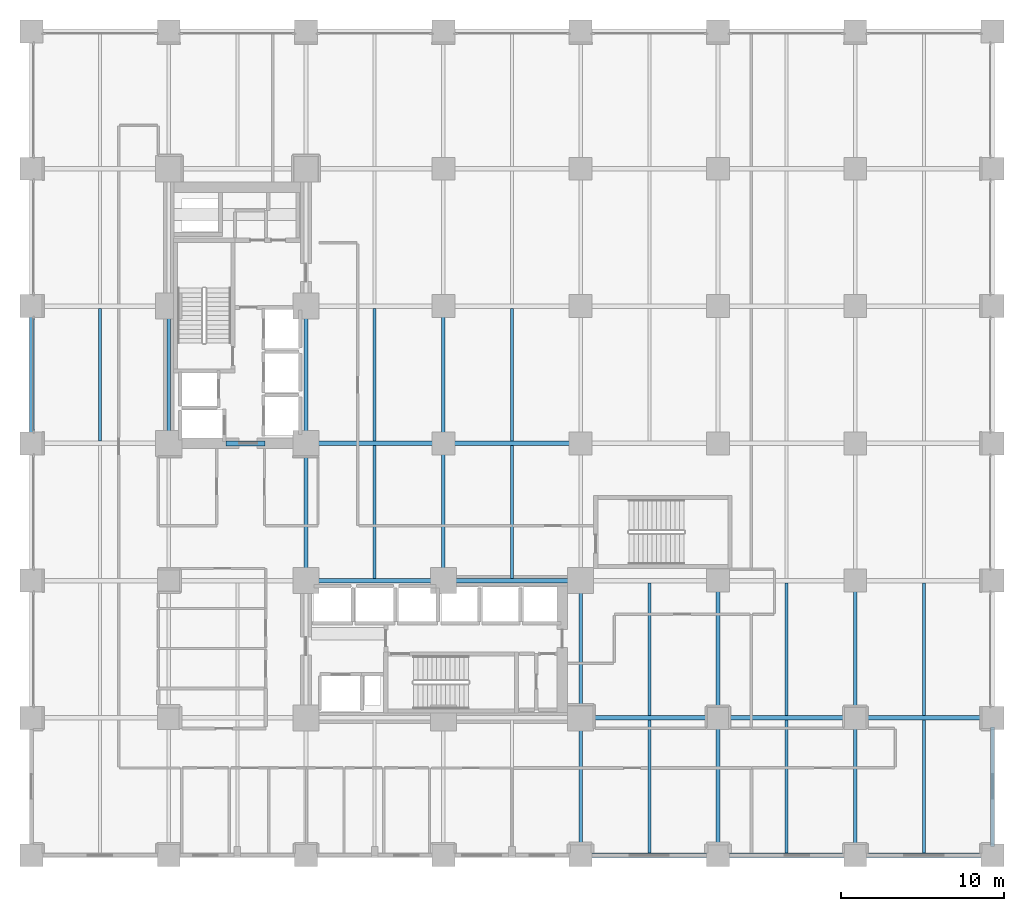
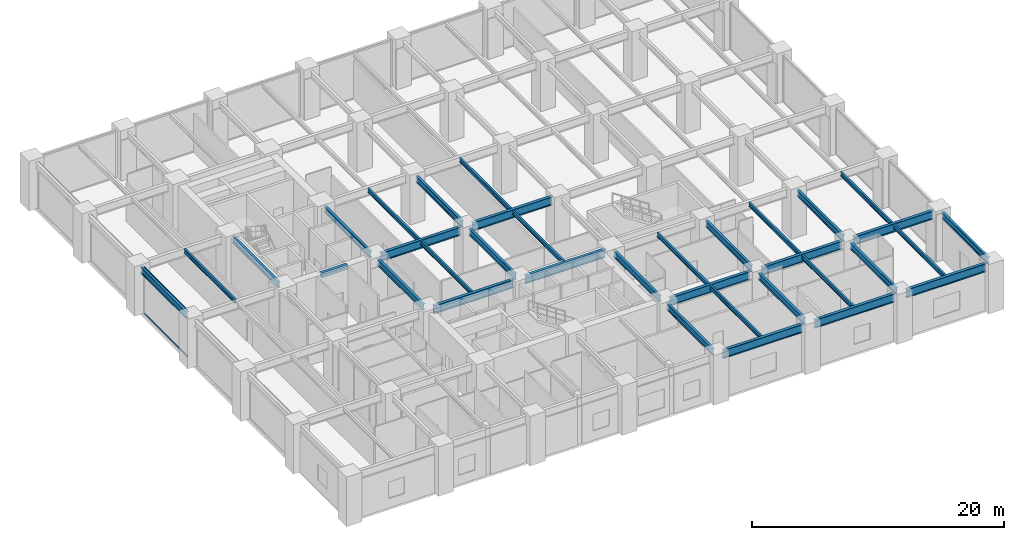
# One storey, part 5 of 24: 35 beams, 2 members, 1 element without a shape of its own.
"""IFC4 building model written with IfcOpenShell, lengths in metres."""

from ifc_helpers import new_model, si_unit, direction, frame, origin, origin_2d, place, context, subcontext, project, spatial, rectangle, hollow_rectangle, i_section, extrude, material, layer, layer_set, material_profile, profile_set, type_object, element, aggregate, save


model = new_model("IFC4")

# Units and contexts
model_context = context("Model", 3, precision=1e-05, world=origin(), true_north=direction((0.0, 1.0)))
body_context = subcontext(model_context, "Body", "Model", "MODEL_VIEW")
ifc_project = project(units=[si_unit("LENGTHUNIT", "METRE"), si_unit("AREAUNIT", "SQUARE_METRE"), si_unit("VOLUMEUNIT", "CUBIC_METRE"), si_unit("PLANEANGLEUNIT", "RADIAN"), si_unit("MASSUNIT", "GRAM", prefix="KILO")], contexts=[model_context])

# Site, building, storey
site_placement = place(None, origin())
site = spatial("IfcSite", under=ifc_project, at=site_placement, CompositionType="ELEMENT")
building_placement = place(site_placement, origin())
building = spatial("IfcBuilding", under=site, at=building_placement, Name="Nerrivon Quay Data Exchange", CompositionType="ELEMENT")
storey_placement = place(building_placement, frame((0.0, 0.0, 10.199951171875)))
storey = spatial("IfcBuildingStorey", under=building, at=storey_placement, Name="L02", CompositionType="ELEMENT", Elevation=10.199951171875)

# Beams
ifc_material_1 = material(Name="Steel Grade 350", Category="steel")
ifc_material_profile_1 = material_profile(ifc_material_1, i_section(OverallWidth=0.22900390625, OverallDepth=0.612060546875, WebThickness=0.011962890625, FlangeThickness=0.01953125, FilletRadius=0.013916015625, at=origin_2d()), Name="610UB125")
ifc_profile_set_1 = profile_set([ifc_material_profile_1], Name="Steel Grade 350")
beam_type_1 = type_object("IfcBeamType", Name="BM-G1-610UB125", PredefinedType="BEAM", material=ifc_profile_set_1)
for number, where, z_axis, x_axis, name in (
    (1, (0.0, 25.739990234375, 4.218994140625), (0.0, 1.0, 0.0), (-1.0, 0.0, 0.0), "L02 NS Girder X=0.0 (25.2..33.6)"),
    (2, (8.39990234375, 25.739990234375, 4.218994140625), (0.0, 1.0, 0.0), (-1.0, 0.0, 0.0), "L02 NS Girder X=8.4 (25.2..33.6)"),
):
    element("IfcBeam", number, at=place(storey_placement, frame(where, z_axis=z_axis, x_axis=x_axis)), inside=storey, type_object=beam_type_1, Name=name, PredefinedType="BEAM", context=body_context, shape_type="SweptSolid", body=[
        extrude(i_section(OverallWidth=0.22900390625, OverallDepth=0.612060546875, WebThickness=0.011962890625, FlangeThickness=0.01953125, FilletRadius=0.013916015625, at=origin_2d()), origin(), (0.0, 0.0, 1.0), 7.320068359375),
    ])
beam_1_placement = place(storey_placement, frame((16.800048828125, 17.340087890625, 4.218994140625), z_axis=(0.0, 1.0, 0.0), x_axis=(-1.0, 0.0, 0.0)))
element("IfcBeam", 3, at=beam_1_placement, inside=storey, type_object=beam_type_1, Name="L02 NS Girder X=16.8 (16.8..25.2)", PredefinedType="BEAM", context=body_context, shape_type="SweptSolid", body=[
    extrude(i_section(OverallWidth=0.22900390625, OverallDepth=0.612060546875, WebThickness=0.011962890625, FlangeThickness=0.01953125, FilletRadius=0.013916015625, at=origin_2d()), origin(), (0.0, 0.0, 1.0), 7.31982421875),
])
beam_2_placement = place(storey_placement, frame((16.800048828125, 25.739990234375, 4.218994140625), z_axis=(0.0, 1.0, 0.0), x_axis=(-1.0, 0.0, 0.0)))
element("IfcBeam", 4, at=beam_2_placement, inside=storey, type_object=beam_type_1, Name="L02 NS Girder X=16.8 (25.2..33.6)", PredefinedType="BEAM", context=body_context, shape_type="SweptSolid", body=[
    extrude(i_section(OverallWidth=0.22900390625, OverallDepth=0.612060546875, WebThickness=0.011962890625, FlangeThickness=0.01953125, FilletRadius=0.013916015625, at=origin_2d()), origin(), (0.0, 0.0, 1.0), 7.320068359375),
])
beam_3_placement = place(storey_placement, frame((25.199951171875, 17.340087890625, 4.218994140625), z_axis=(0.0, 1.0, 0.0), x_axis=(-1.0, 0.0, 0.0)))
element("IfcBeam", 5, at=beam_3_placement, inside=storey, type_object=beam_type_1, Name="L02 NS Girder X=25.2 (16.8..25.2)", PredefinedType="BEAM", context=body_context, shape_type="SweptSolid", body=[
    extrude(i_section(OverallWidth=0.22900390625, OverallDepth=0.612060546875, WebThickness=0.011962890625, FlangeThickness=0.01953125, FilletRadius=0.013916015625, at=origin_2d()), origin(), (0.0, 0.0, 1.0), 7.31982421875),
])
for number, where, z_axis, x_axis, name in (
    (6, (25.199951171875, 25.739990234375, 4.218994140625), (0.0, 1.0, 0.0), (-1.0, 0.0, 0.0), "L02 NS Girder X=25.2 (25.2..33.6)"),
    (7, (33.60009765625, 0.5400390625, 4.218994140625), (0.0, 1.0, 0.0), (-1.0, 0.0, 0.0), "L02 NS Girder X=33.6 (0.0..8.4)"),
    (8, (33.60009765625, 8.93994140625, 4.218994140625), (0.0, 1.0, 0.0), (-1.0, 0.0, 0.0), "L02 NS Girder X=33.6 (8.4..16.8)"),
    (9, (42.0, 0.5400390625, 4.218994140625), (0.0, 1.0, 0.0), (-1.0, 0.0, 0.0), "L02 NS Girder X=42.0 (0.0..8.4)"),
    (10, (42.0, 8.93994140625, 4.218994140625), (0.0, 1.0, 0.0), (-1.0, 0.0, 0.0), "L02 NS Girder X=42.0 (8.4..16.8)"),
    (11, (50.39990234375, 0.5400390625, 4.218994140625), (0.0, 1.0, 0.0), (-1.0, 0.0, 0.0), "L02 NS Girder X=50.4 (0.0..8.4)"),
    (12, (50.39990234375, 8.93994140625, 4.218994140625), (0.0, 1.0, 0.0), (-1.0, 0.0, 0.0), "L02 NS Girder X=50.4 (8.4..16.8)"),
    (13, (58.800048828125, 0.5400390625, 4.218994140625), (0.0, 1.0, 0.0), (-1.0, 0.0, 0.0), "L02 NS Girder X=58.8 (0.0..8.4)"),
):
    element("IfcBeam", number, at=place(storey_placement, frame(where, z_axis=z_axis, x_axis=x_axis)), inside=storey, type_object=beam_type_1, Name=name, PredefinedType="BEAM", context=body_context, shape_type="SweptSolid", body=[
        extrude(i_section(OverallWidth=0.22900390625, OverallDepth=0.612060546875, WebThickness=0.011962890625, FlangeThickness=0.01953125, FilletRadius=0.013916015625, at=origin_2d()), origin(), (0.0, 0.0, 1.0), 7.320068359375),
    ])
ifc_material_profile_2 = material_profile(ifc_material_1, i_section(OverallWidth=0.27490234375, OverallDepth=0.800048828125, WebThickness=0.010009765625, FlangeThickness=0.02001953125, at=origin_2d()), Name="800WB146")
ifc_profile_set_2 = profile_set([ifc_material_profile_2], Name="Steel Grade 350")
beam_type_2 = type_object("IfcBeamType", Name="BM-G8-800WB146", PredefinedType="BEAM", material=ifc_profile_set_2)
for number, where, z_axis, x_axis, name in (
    (14, (34.139892578125, 0.0, 4.125), (1.0, 0.0, 0.0), (0.0, 1.0, 0.0), "L02 EW Girder Y=0.0 (33.6..42.0)"),
    (15, (42.5400390625, 0.0, 4.125), (1.0, 0.0, 0.0), (0.0, 1.0, 0.0), "L02 EW Girder Y=0.0 (42.0..50.4)"),
    (16, (50.93994140625, 0.0, 4.125), (1.0, 0.0, 0.0), (0.0, 1.0, 0.0), "L02 EW Girder Y=0.0 (50.4..58.8)"),
    (17, (34.139892578125, 8.39990234375, 4.125), (1.0, 0.0, 0.0), (0.0, 1.0, 0.0), "L02 EW Girder Y=8.4 (33.6..42.0)"),
    (18, (42.5400390625, 8.39990234375, 4.125), (1.0, 0.0, 0.0), (0.0, 1.0, 0.0), "L02 EW Girder Y=8.4 (42.0..50.4)"),
    (19, (50.93994140625, 8.39990234375, 4.125), (1.0, 0.0, 0.0), (0.0, 1.0, 0.0), "L02 EW Girder Y=8.4 (50.4..58.8)"),
):
    element("IfcBeam", number, at=place(storey_placement, frame(where, z_axis=z_axis, x_axis=x_axis)), inside=storey, type_object=beam_type_2, Name=name, PredefinedType="BEAM", context=body_context, shape_type="SweptSolid", body=[
        extrude(i_section(OverallWidth=0.27490234375, OverallDepth=0.800048828125, WebThickness=0.010009765625, FlangeThickness=0.02001953125, at=origin_2d()), origin(), (0.0, 0.0, 1.0), 7.320068359375),
    ])
beam_4_placement = place(storey_placement, frame((17.340087890625, 16.800048828125, 4.125), z_axis=(1.0, 0.0, 0.0), x_axis=(0.0, 1.0, 0.0)))
element("IfcBeam", 20, at=beam_4_placement, inside=storey, type_object=beam_type_2, Name="L02 EW Girder Y=16.8 (16.8..25.2)", PredefinedType="BEAM", context=body_context, shape_type="SweptSolid", body=[
    extrude(i_section(OverallWidth=0.27490234375, OverallDepth=0.800048828125, WebThickness=0.010009765625, FlangeThickness=0.02001953125, at=origin_2d()), origin(), (0.0, 0.0, 1.0), 7.31982421875),
])
beam_5_placement = place(storey_placement, frame((25.739990234375, 16.800048828125, 4.125), z_axis=(1.0, 0.0, 0.0), x_axis=(0.0, 1.0, 0.0)))
element("IfcBeam", 21, at=beam_5_placement, inside=storey, type_object=beam_type_2, Name="L02 EW Girder Y=16.8 (25.2..33.6)", PredefinedType="BEAM", context=body_context, shape_type="SweptSolid", body=[
    extrude(i_section(OverallWidth=0.27490234375, OverallDepth=0.800048828125, WebThickness=0.010009765625, FlangeThickness=0.02001953125, at=origin_2d()), origin(), (0.0, 0.0, 1.0), 7.320068359375),
])
beam_6_placement = place(storey_placement, frame((17.340087890625, 25.199951171875, 4.125), z_axis=(1.0, 0.0, 0.0), x_axis=(0.0, 1.0, 0.0)))
element("IfcBeam", 22, at=beam_6_placement, inside=storey, type_object=beam_type_2, Name="L02 EW Girder Y=25.2 (16.8..25.2)", PredefinedType="BEAM", context=body_context, shape_type="SweptSolid", body=[
    extrude(i_section(OverallWidth=0.27490234375, OverallDepth=0.800048828125, WebThickness=0.010009765625, FlangeThickness=0.02001953125, at=origin_2d()), origin(), (0.0, 0.0, 1.0), 7.31982421875),
])
beam_7_placement = place(storey_placement, frame((25.739990234375, 25.199951171875, 4.125), z_axis=(1.0, 0.0, 0.0), x_axis=(0.0, 1.0, 0.0)))
element("IfcBeam", 23, at=beam_7_placement, inside=storey, type_object=beam_type_2, Name="L02 EW Girder Y=25.2 (25.2..33.6)", PredefinedType="BEAM", context=body_context, shape_type="SweptSolid", body=[
    extrude(i_section(OverallWidth=0.27490234375, OverallDepth=0.800048828125, WebThickness=0.010009765625, FlangeThickness=0.02001953125, at=origin_2d()), origin(), (0.0, 0.0, 1.0), 7.320068359375),
])
ifc_material_profile_3 = material_profile(ifc_material_1, i_section(OverallWidth=0.177978515625, OverallDepth=0.403076171875, WebThickness=0.007568359375, FlangeThickness=0.010986328125, FilletRadius=0.011474609375, at=origin_2d()), Name="410UB53.7")
ifc_profile_set_3 = profile_set([ifc_material_profile_3], Name="Steel Grade 350")
beam_type_3 = type_object("IfcBeamType", Name="BM-J2-410UB54", PredefinedType="JOIST", material=ifc_profile_set_3)
for number, where, z_axis, x_axis, name in (
    (24, (4.199951171875, 25.33740234375, 4.323486328125), (0.0, 1.0, 0.0), (-1.0, 0.0, 0.0), "L02 Secondary Joist X=4.2 (25.2..33.6)"),
    (25, (21.0, 16.9375, 4.323486328125), (0.0, 1.0, 0.0), (-1.0, 0.0, 0.0), "L02 Secondary Joist X=21.0 (16.8..25.2)"),
    (26, (21.0, 25.33740234375, 4.323486328125), (0.0, 1.0, 0.0), (-1.0, 0.0, 0.0), "L02 Secondary Joist X=21.0 (25.2..33.6)"),
    (27, (29.39990234375, 16.9375, 4.323486328125), (0.0, 1.0, 0.0), (-1.0, 0.0, 0.0), "L02 Secondary Joist X=29.4 (16.8..25.2)"),
    (28, (29.39990234375, 25.33740234375, 4.323486328125), (0.0, 1.0, 0.0), (-1.0, 0.0, 0.0), "L02 Secondary Joist X=29.4 (25.2..33.6)"),
    (29, (37.800048828125, 0.137451171875, 4.323486328125), (0.0, 1.0, 0.0), (-1.0, 0.0, 0.0), "L02 Secondary Joist X=37.8 (0.0..8.4)"),
    (30, (37.800048828125, 8.53759765625, 4.323486328125), (0.0, 1.0, 0.0), (-1.0, 0.0, 0.0), "L02 Secondary Joist X=37.8 (8.4..16.8)"),
    (31, (46.199951171875, 0.137451171875, 4.323486328125), (0.0, 1.0, 0.0), (-1.0, 0.0, 0.0), "L02 Secondary Joist X=46.2 (0.0..8.4)"),
    (32, (46.199951171875, 8.53759765625, 4.323486328125), (0.0, 1.0, 0.0), (-1.0, 0.0, 0.0), "L02 Secondary Joist X=46.2 (8.4..16.8)"),
    (33, (54.60009765625, 0.137451171875, 4.323486328125), (0.0, 1.0, 0.0), (-1.0, 0.0, 0.0), "L02 Secondary Joist X=54.6 (0.0..8.4)"),
    (34, (54.60009765625, 8.53759765625, 4.323486328125), (0.0, 1.0, 0.0), (-1.0, 0.0, 0.0), "L02 Secondary Joist X=54.6 (8.4..16.8)"),
):
    element("IfcBeam", number, at=place(storey_placement, frame(where, z_axis=z_axis, x_axis=x_axis)), inside=storey, type_object=beam_type_3, Name=name, PredefinedType="JOIST", context=body_context, shape_type="SweptSolid", body=[
        extrude(i_section(OverallWidth=0.177978515625, OverallDepth=0.403076171875, WebThickness=0.007568359375, FlangeThickness=0.010986328125, FilletRadius=0.011474609375, at=origin_2d()), origin(), (0.0, 0.0, 1.0), 8.125),
    ])
ifc_material_2 = material(Name="Concrete N50 (50 MPa)", Category="concrete")
ifc_material_profile_4 = material_profile(ifc_material_2, rectangle(XDim=0.300048828125, YDim=0.449951171875, at=origin_2d()), Name="RC-LNT-300x450")
ifc_profile_set_4 = profile_set([ifc_material_profile_4], Name="Concrete N50 (50 MPa)")
beam_type_4 = type_object("IfcBeamType", Name="BM-LNT-300x450", PredefinedType="LINTEL", material=ifc_profile_set_4)
beam_8_placement = place(storey_placement, frame((11.89990234375, 25.199951171875, 4.300048828125), z_axis=(1.0, 0.0, 0.0), x_axis=(0.0, 1.0, 0.0)))
element("IfcBeam", 35, at=beam_8_placement, inside=storey, type_object=beam_type_4, Name="L02 Core Threshold RC Lintel", PredefinedType="LINTEL", context=body_context, shape_type="SweptSolid", body=[
    extrude(rectangle(XDim=0.300048828125, YDim=0.449951171875, at=origin_2d()), origin(), (0.0, 0.0, 1.0), 2.400146484375),
])

# Curtain wall, members
ifc_material_3 = material(Name="Anodised aluminium 6063-T6", Category="aluminium")
ifc_layer = layer(ifc_material_3, 0.239990234375)
ifc_layer_set = layer_set([ifc_layer], Name="Anodised aluminium 6063-T6")
curtain_wall_type = type_object("IfcCurtainWallType", Name="CW-SYS-03", PredefinedType="NOTDEFINED", material=ifc_layer_set)
curtain_wall_placement = place(storey_placement, origin())
curtain_wall = element("IfcCurtainWall", 36, at=curtain_wall_placement, inside=storey, type_object=curtain_wall_type, Name="L02 Unitised Curtain Wall 4", PredefinedType="NOTDEFINED")
ifc_material_profile_5 = material_profile(ifc_material_3, hollow_rectangle(XDim=0.06494140625, YDim=0.14990234375, WallThickness=0.00341796875, at=origin_2d()), Name="ALU-TRAN-150x65")
ifc_profile_set_5 = profile_set([ifc_material_profile_5], Name="Anodised aluminium 6063-T6")
member_type = type_object("IfcMemberType", Name="CWT-150x65", PredefinedType="USERDEFINED", material=ifc_profile_set_5)
member_1_placement = place(storey_placement, frame((0.139892578125, 25.97509765625, 0.032470703125), z_axis=(0.0, 1.0, 0.0), x_axis=(-1.0, 0.0, 0.0)))
member_1 = element("IfcMember", 37, at=member_1_placement, type_object=member_type, Name="CW03 transom 1.1", ObjectType="TRANSOM", PredefinedType="USERDEFINED", context=body_context, shape_type="SweptSolid", body=[
    extrude(hollow_rectangle(XDim=0.06494140625, YDim=0.14990234375, WallThickness=0.00341796875, at=origin_2d()), origin(), (0.0, 0.0, 1.0), 6.849853515625),
])
member_2_placement = place(storey_placement, frame((0.139892578125, 25.97509765625, 4.492431640625), z_axis=(0.0, 1.0, 0.0), x_axis=(-1.0, 0.0, 0.0)))
member_2 = element("IfcMember", 38, at=member_2_placement, type_object=member_type, Name="CW03 transom 1.2", ObjectType="TRANSOM", PredefinedType="USERDEFINED", context=body_context, shape_type="SweptSolid", body=[
    extrude(hollow_rectangle(XDim=0.06494140625, YDim=0.14990234375, WallThickness=0.00341796875, at=origin_2d()), origin(), (0.0, 0.0, 1.0), 6.849853515625),
])
aggregate(curtain_wall, [member_1, member_2])

save(model, "model.ifc")
